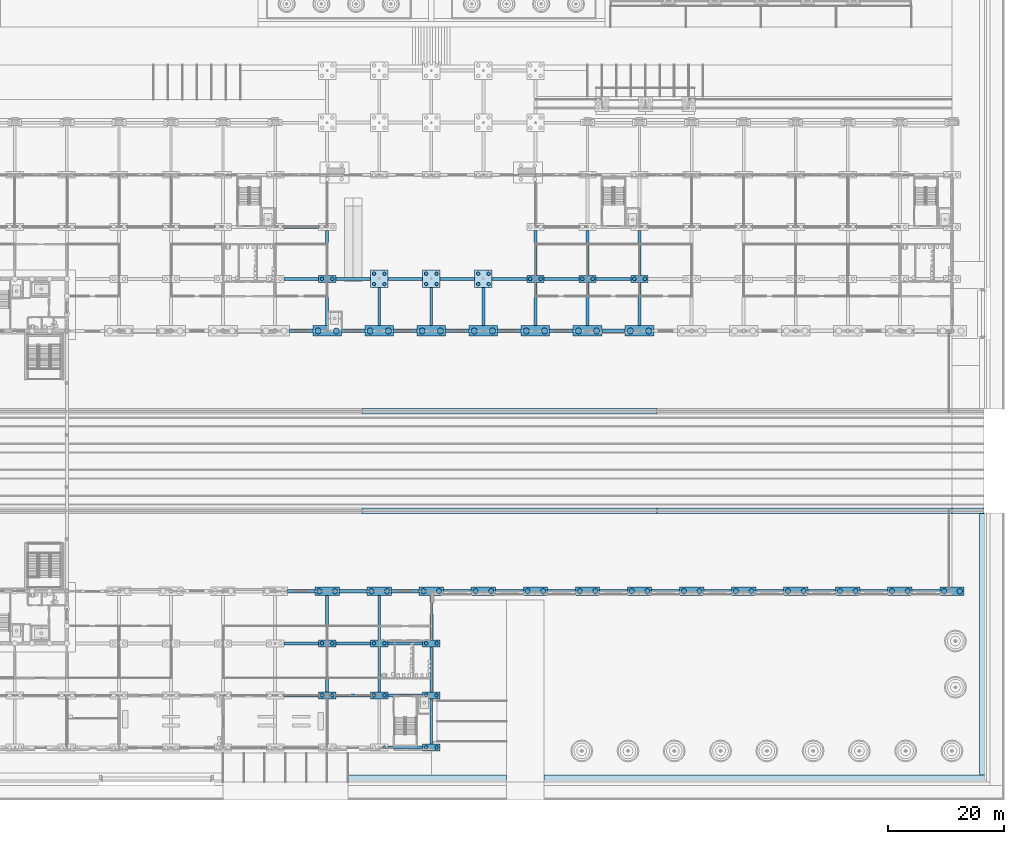
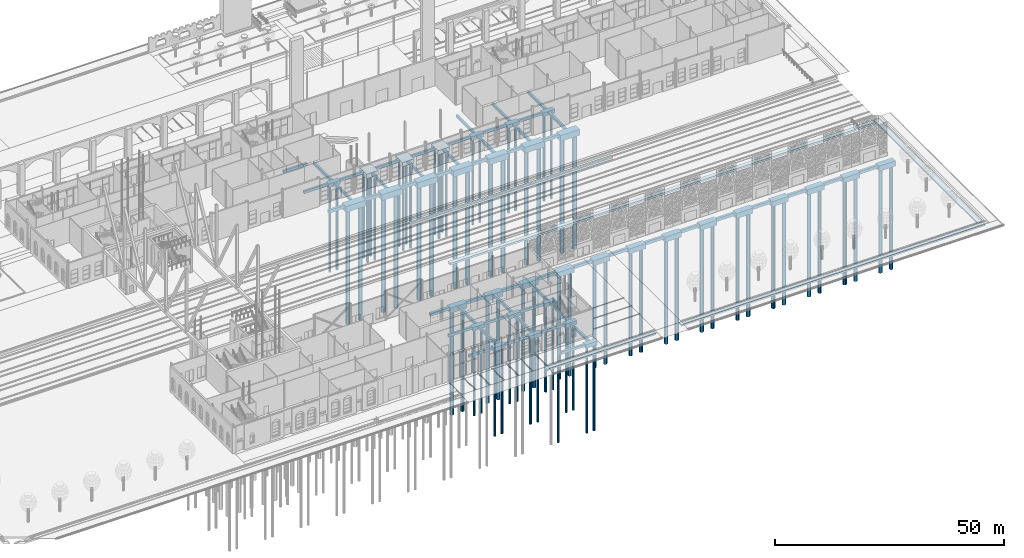
# One storey, part 4 of 250: 94 footings, 75 piles.
"""IFC4 building model written with IfcOpenShell, lengths in metres."""

from ifc_helpers import new_model, si_unit, direction, frame, origin, origin_2d, place, context, subcontext, project, spatial, rectangle, circle, extrude, material, type_object, element, save


model = new_model("IFC4")

# Units and contexts
model_context = context("Model", 3, precision=1e-05, world=origin(), true_north=direction((0.0, 1.0)))
body_context = subcontext(model_context, "Body", "Model", "MODEL_VIEW")
ifc_project = project(units=[si_unit("LENGTHUNIT", "METRE"), si_unit("AREAUNIT", "SQUARE_METRE"), si_unit("VOLUMEUNIT", "CUBIC_METRE"), si_unit("PLANEANGLEUNIT", "RADIAN"), si_unit("MASSUNIT", "GRAM", prefix="KILO")], contexts=[model_context])

# Site, building, storey
site_placement = place(None, origin())
site = spatial("IfcSite", under=ifc_project, at=site_placement, CompositionType="ELEMENT")
building_placement = place(site_placement, origin())
building = spatial("IfcBuilding", under=site, at=building_placement, Name="Baradari Gate Terminus", CompositionType="ELEMENT")
storey_placement = place(building_placement, origin())
storey = spatial("IfcBuildingStorey", under=building, at=storey_placement, Name="L00", CompositionType="ELEMENT", Elevation=0.0)

# Piles
ifc_material_1 = material(Name="Concrete C32/40", Category="concrete")
pile_type_1 = type_object("IfcPileType", Name="Bored pile BP1 D900", PredefinedType="BORED", material=ifc_material_1)
for number, where, z_axis, x_axis, name in (
    (1, (133.64990234375, 36.0, -3.39990234375), (0.0, 0.0, -1.0), (1.0, 0.0, 0.0), "Bored pile BP1 at 16-E (1)"),
    (2, (136.35009765625, 36.0, -3.39990234375), (0.0, 0.0, -1.0), (1.0, 0.0, 0.0), "Bored pile BP1 at 16-E (2)"),
    (3, (142.64990234375, 36.0, -3.39990234375), (0.0, 0.0, -1.0), (1.0, 0.0, 0.0), "Bored pile BP1 at 17-E (1)"),
    (4, (145.35009765625, 36.0, -3.39990234375), (0.0, 0.0, -1.0), (1.0, 0.0, 0.0), "Bored pile BP1 at 17-E (2)"),
    (5, (151.64990234375, 36.0, -3.39990234375), (0.0, 0.0, -1.0), (1.0, 0.0, 0.0), "Bored pile BP1 at 18-E (1)"),
    (6, (154.35009765625, 36.0, -3.39990234375), (0.0, 0.0, -1.0), (1.0, 0.0, 0.0), "Bored pile BP1 at 18-E (2)"),
    (7, (160.64990234375, 36.0, -3.39990234375), (0.0, 0.0, -1.0), (1.0, 0.0, 0.0), "Bored pile BP1 at 19-E (1)"),
    (8, (163.35009765625, 36.0, -3.39990234375), (0.0, 0.0, -1.0), (1.0, 0.0, 0.0), "Bored pile BP1 at 19-E (2)"),
    (9, (169.64990234375, 36.0, -3.39990234375), (0.0, 0.0, -1.0), (1.0, 0.0, 0.0), "Bored pile BP1 at 20-E (1)"),
    (10, (172.35009765625, 36.0, -3.39990234375), (0.0, 0.0, -1.0), (1.0, 0.0, 0.0), "Bored pile BP1 at 20-E (2)"),
    (11, (178.64990234375, 36.0, -3.39990234375), (0.0, 0.0, -1.0), (1.0, 0.0, 0.0), "Bored pile BP1 at 21-E (1)"),
    (12, (181.35009765625, 36.0, -3.39990234375), (0.0, 0.0, -1.0), (1.0, 0.0, 0.0), "Bored pile BP1 at 21-E (2)"),
    (13, (187.64990234375, 36.0, -3.39990234375), (0.0, 0.0, -1.0), (1.0, 0.0, 0.0), "Bored pile BP1 at 22-E (1)"),
    (14, (190.35009765625, 36.0, -3.39990234375), (0.0, 0.0, -1.0), (1.0, 0.0, 0.0), "Bored pile BP1 at 22-E (2)"),
    (15, (196.64990234375, 36.0, -3.39990234375), (0.0, 0.0, -1.0), (1.0, 0.0, 0.0), "Bored pile BP1 at 23-E (1)"),
    (16, (199.35009765625, 36.0, -3.39990234375), (0.0, 0.0, -1.0), (1.0, 0.0, 0.0), "Bored pile BP1 at 23-E (2)"),
    (17, (205.64990234375, 36.0, -3.39990234375), (0.0, 0.0, -1.0), (1.0, 0.0, 0.0), "Bored pile BP1 at 24-E (1)"),
    (18, (208.35009765625, 36.0, -3.39990234375), (0.0, 0.0, -1.0), (1.0, 0.0, 0.0), "Bored pile BP1 at 24-E (2)"),
    (19, (214.64990234375, 36.0, -3.39990234375), (0.0, 0.0, -1.0), (1.0, 0.0, 0.0), "Bored pile BP1 at 25-E (1)"),
    (20, (217.35009765625, 36.0, -3.39990234375), (0.0, 0.0, -1.0), (1.0, 0.0, 0.0), "Bored pile BP1 at 25-E (2)"),
    (21, (223.64990234375, 36.0, -3.39990234375), (0.0, 0.0, -1.0), (1.0, 0.0, 0.0), "Bored pile BP1 at 26-E (1)"),
    (22, (226.35009765625, 36.0, -3.39990234375), (0.0, 0.0, -1.0), (1.0, 0.0, 0.0), "Bored pile BP1 at 26-E (2)"),
    (23, (232.64990234375, 36.0, -3.39990234375), (0.0, 0.0, -1.0), (1.0, 0.0, 0.0), "Bored pile BP1 at 27-E (1)"),
    (24, (235.35009765625, 36.0, -3.39990234375), (0.0, 0.0, -1.0), (1.0, 0.0, 0.0), "Bored pile BP1 at 27-E (2)"),
    (25, (241.64990234375, 36.0, -3.39990234375), (0.0, 0.0, -1.0), (1.0, 0.0, 0.0), "Bored pile BP1 at 28-E (1)"),
    (26, (244.35009765625, 36.0, -3.39990234375), (0.0, 0.0, -1.0), (1.0, 0.0, 0.0), "Bored pile BP1 at 28-E (2)"),
):
    element("IfcPile", number, at=place(storey_placement, frame(where, z_axis=z_axis, x_axis=x_axis)), inside=storey, type_object=pile_type_1, Name=name, PredefinedType="BORED", context=body_context, shape_type="SweptSolid", body=[
        extrude(circle(Radius=0.449951171875, at=origin_2d()), origin(), (0.0, 0.0, 1.0), 27.60009765625),
    ])
ifc_material_2 = material(Name="Concrete C32/40", Category="concrete")
pile_type_2 = type_object("IfcPileType", Name="Bored pile BP2 D600", PredefinedType="BORED", material=ifc_material_2)
for number, where, z_axis, x_axis, name in (
    (27, (134.10009765625, 18.0, -3.0), (0.0, 0.0, -1.0), (1.0, 0.0, 0.0), "Bored pile BP2 at 16-C (1)"),
    (28, (135.89990234375, 18.0, -3.0), (0.0, 0.0, -1.0), (1.0, 0.0, 0.0), "Bored pile BP2 at 16-C (2)"),
    (29, (134.10009765625, 27.0, -3.0), (0.0, 0.0, -1.0), (1.0, 0.0, 0.0), "Bored pile BP2 at 16-D (1)"),
    (30, (135.89990234375, 27.0, -3.0), (0.0, 0.0, -1.0), (1.0, 0.0, 0.0), "Bored pile BP2 at 16-D (2)"),
    (31, (134.10009765625, 90.0, -3.0), (0.0, 0.0, -1.0), (1.0, 0.0, 0.0), "Bored pile BP2 at 16-L (1)"),
    (32, (135.89990234375, 90.0, -3.0), (0.0, 0.0, -1.0), (1.0, 0.0, 0.0), "Bored pile BP2 at 16-L (2)"),
    (33, (144.89990234375, 9.0, -3.0), (0.0, 0.0, -1.0), (1.0, 0.0, 0.0), "Bored pile BP2 at 17-B (2)"),
    (34, (143.10009765625, 18.0, -3.0), (0.0, 0.0, -1.0), (1.0, 0.0, 0.0), "Bored pile BP2 at 17-C (1)"),
    (35, (144.89990234375, 18.0, -3.0), (0.0, 0.0, -1.0), (1.0, 0.0, 0.0), "Bored pile BP2 at 17-C (2)"),
    (36, (143.10009765625, 27.0, -3.0), (0.0, 0.0, -1.0), (1.0, 0.0, 0.0), "Bored pile BP2 at 17-D (1)"),
    (37, (144.89990234375, 27.0, -3.0), (0.0, 0.0, -1.0), (1.0, 0.0, 0.0), "Bored pile BP2 at 17-D (2)"),
):
    element("IfcPile", number, at=place(storey_placement, frame(where, z_axis=z_axis, x_axis=x_axis)), inside=storey, type_object=pile_type_2, Name=name, PredefinedType="BORED", context=body_context, shape_type="SweptSolid", body=[
        extrude(circle(Radius=0.300048828125, at=origin_2d()), origin(), (0.0, 0.0, 1.0), 23.0),
    ])
for number, where, z_axis, x_axis, name in (
    (38, (143.10009765625, 89.10009765625, -3.199951171875), (0.0, 0.0, -1.0), (1.0, 0.0, 0.0), "Bored pile BP2 at 17-L (1)"),
    (39, (144.89990234375, 89.10009765625, -3.199951171875), (0.0, 0.0, -1.0), (1.0, 0.0, 0.0), "Bored pile BP2 at 17-L (2)"),
    (40, (143.10009765625, 90.89990234375, -3.199951171875), (0.0, 0.0, -1.0), (1.0, 0.0, 0.0), "Bored pile BP2 at 17-L (3)"),
    (41, (144.89990234375, 90.89990234375, -3.199951171875), (0.0, 0.0, -1.0), (1.0, 0.0, 0.0), "Bored pile BP2 at 17-L (4)"),
):
    element("IfcPile", number, at=place(storey_placement, frame(where, z_axis=z_axis, x_axis=x_axis)), inside=storey, type_object=pile_type_2, Name=name, PredefinedType="BORED", context=body_context, shape_type="SweptSolid", body=[
        extrude(circle(Radius=0.300048828125, at=origin_2d()), origin(), (0.0, 0.0, 1.0), 22.800048828125),
    ])
for number, where, z_axis, x_axis, name in (
    (42, (152.10009765625, 9.0, -3.0), (0.0, 0.0, -1.0), (1.0, 0.0, 0.0), "Bored pile BP2 at 18-B (1)"),
    (43, (153.89990234375, 9.0, -3.0), (0.0, 0.0, -1.0), (1.0, 0.0, 0.0), "Bored pile BP2 at 18-B (2)"),
    (44, (152.10009765625, 18.0, -3.0), (0.0, 0.0, -1.0), (1.0, 0.0, 0.0), "Bored pile BP2 at 18-C (1)"),
    (45, (153.89990234375, 18.0, -3.0), (0.0, 0.0, -1.0), (1.0, 0.0, 0.0), "Bored pile BP2 at 18-C (2)"),
    (46, (152.10009765625, 27.0, -3.0), (0.0, 0.0, -1.0), (1.0, 0.0, 0.0), "Bored pile BP2 at 18-D (1)"),
    (47, (153.89990234375, 27.0, -3.0), (0.0, 0.0, -1.0), (1.0, 0.0, 0.0), "Bored pile BP2 at 18-D (2)"),
):
    element("IfcPile", number, at=place(storey_placement, frame(where, z_axis=z_axis, x_axis=x_axis)), inside=storey, type_object=pile_type_2, Name=name, PredefinedType="BORED", context=body_context, shape_type="SweptSolid", body=[
        extrude(circle(Radius=0.300048828125, at=origin_2d()), origin(), (0.0, 0.0, 1.0), 23.0),
    ])
for number, where, z_axis, x_axis, name in (
    (48, (152.10009765625, 89.10009765625, -3.199951171875), (0.0, 0.0, -1.0), (1.0, 0.0, 0.0), "Bored pile BP2 at 18-L (1)"),
    (49, (153.89990234375, 89.10009765625, -3.199951171875), (0.0, 0.0, -1.0), (1.0, 0.0, 0.0), "Bored pile BP2 at 18-L (2)"),
    (50, (152.10009765625, 90.89990234375, -3.199951171875), (0.0, 0.0, -1.0), (1.0, 0.0, 0.0), "Bored pile BP2 at 18-L (3)"),
    (51, (153.89990234375, 90.89990234375, -3.199951171875), (0.0, 0.0, -1.0), (1.0, 0.0, 0.0), "Bored pile BP2 at 18-L (4)"),
    (52, (161.10009765625, 89.10009765625, -3.199951171875), (0.0, 0.0, -1.0), (1.0, 0.0, 0.0), "Bored pile BP2 at 19-L (1)"),
    (53, (162.89990234375, 89.10009765625, -3.199951171875), (0.0, 0.0, -1.0), (1.0, 0.0, 0.0), "Bored pile BP2 at 19-L (2)"),
    (54, (161.10009765625, 90.89990234375, -3.199951171875), (0.0, 0.0, -1.0), (1.0, 0.0, 0.0), "Bored pile BP2 at 19-L (3)"),
    (55, (162.89990234375, 90.89990234375, -3.199951171875), (0.0, 0.0, -1.0), (1.0, 0.0, 0.0), "Bored pile BP2 at 19-L (4)"),
):
    element("IfcPile", number, at=place(storey_placement, frame(where, z_axis=z_axis, x_axis=x_axis)), inside=storey, type_object=pile_type_2, Name=name, PredefinedType="BORED", context=body_context, shape_type="SweptSolid", body=[
        extrude(circle(Radius=0.300048828125, at=origin_2d()), origin(), (0.0, 0.0, 1.0), 22.800048828125),
    ])
for number, where, z_axis, x_axis, name in (
    (56, (170.10009765625, 90.0, -3.0), (0.0, 0.0, -1.0), (1.0, 0.0, 0.0), "Bored pile BP2 at 20-L (1)"),
    (57, (171.89990234375, 90.0, -3.0), (0.0, 0.0, -1.0), (1.0, 0.0, 0.0), "Bored pile BP2 at 20-L (2)"),
    (58, (179.10009765625, 90.0, -3.0), (0.0, 0.0, -1.0), (1.0, 0.0, 0.0), "Bored pile BP2 at 21-L (1)"),
    (59, (180.89990234375, 90.0, -3.0), (0.0, 0.0, -1.0), (1.0, 0.0, 0.0), "Bored pile BP2 at 21-L (2)"),
    (60, (188.10009765625, 90.0, -3.0), (0.0, 0.0, -1.0), (1.0, 0.0, 0.0), "Bored pile BP2 at 22-L (1)"),
    (61, (189.89990234375, 90.0, -3.0), (0.0, 0.0, -1.0), (1.0, 0.0, 0.0), "Bored pile BP2 at 22-L (2)"),
):
    element("IfcPile", number, at=place(storey_placement, frame(where, z_axis=z_axis, x_axis=x_axis)), inside=storey, type_object=pile_type_2, Name=name, PredefinedType="BORED", context=body_context, shape_type="SweptSolid", body=[
        extrude(circle(Radius=0.300048828125, at=origin_2d()), origin(), (0.0, 0.0, 1.0), 23.0),
    ])
ifc_material_3 = material(Name="Concrete C32/40", Category="concrete")
pile_type_3 = type_object("IfcPileType", Name="Bored pile BP5 D1050", PredefinedType="BORED", material=ifc_material_3)
for number, where, z_axis, x_axis, name in (
    (62, (133.425048828125, 81.0, -3.60009765625), (0.0, 0.0, -1.0), (1.0, 0.0, 0.0), "Bored pile BP5 at 16-K (1)"),
    (63, (136.574951171875, 81.0, -3.60009765625), (0.0, 0.0, -1.0), (1.0, 0.0, 0.0), "Bored pile BP5 at 16-K (2)"),
    (64, (142.425048828125, 81.0, -3.60009765625), (0.0, 0.0, -1.0), (1.0, 0.0, 0.0), "Bored pile BP5 at 17-K (1)"),
    (65, (145.574951171875, 81.0, -3.60009765625), (0.0, 0.0, -1.0), (1.0, 0.0, 0.0), "Bored pile BP5 at 17-K (2)"),
    (66, (151.425048828125, 81.0, -3.60009765625), (0.0, 0.0, -1.0), (1.0, 0.0, 0.0), "Bored pile BP5 at 18-K (1)"),
    (67, (154.574951171875, 81.0, -3.60009765625), (0.0, 0.0, -1.0), (1.0, 0.0, 0.0), "Bored pile BP5 at 18-K (2)"),
    (68, (160.425048828125, 81.0, -3.60009765625), (0.0, 0.0, -1.0), (1.0, 0.0, 0.0), "Bored pile BP5 at 19-K (1)"),
    (69, (163.574951171875, 81.0, -3.60009765625), (0.0, 0.0, -1.0), (1.0, 0.0, 0.0), "Bored pile BP5 at 19-K (2)"),
    (70, (169.425048828125, 81.0, -3.60009765625), (0.0, 0.0, -1.0), (1.0, 0.0, 0.0), "Bored pile BP5 at 20-K (1)"),
    (71, (172.574951171875, 81.0, -3.60009765625), (0.0, 0.0, -1.0), (1.0, 0.0, 0.0), "Bored pile BP5 at 20-K (2)"),
    (72, (178.425048828125, 81.0, -3.60009765625), (0.0, 0.0, -1.0), (1.0, 0.0, 0.0), "Bored pile BP5 at 21-K (1)"),
    (73, (181.574951171875, 81.0, -3.60009765625), (0.0, 0.0, -1.0), (1.0, 0.0, 0.0), "Bored pile BP5 at 21-K (2)"),
    (74, (187.425048828125, 81.0, -3.60009765625), (0.0, 0.0, -1.0), (1.0, 0.0, 0.0), "Bored pile BP5 at 22-K (1)"),
    (75, (190.574951171875, 81.0, -3.60009765625), (0.0, 0.0, -1.0), (1.0, 0.0, 0.0), "Bored pile BP5 at 22-K (2)"),
):
    element("IfcPile", number, at=place(storey_placement, frame(where, z_axis=z_axis, x_axis=x_axis)), inside=storey, type_object=pile_type_3, Name=name, PredefinedType="BORED", context=body_context, shape_type="SweptSolid", body=[
        extrude(circle(Radius=0.52490234375, at=origin_2d()), origin(), (0.0, 0.0, 1.0), 30.39990234375),
    ])

# Footings
ifc_material_4 = material(Name="Concrete C32/40", Category="concrete")
footing_type_1 = type_object("IfcFootingType", Name="Ground beam TG1 500x700", PredefinedType="FOOTING_BEAM", material=ifc_material_4)
for number, where, z_axis, x_axis, name in (
    (76, (148.5, 9.0, -2.7998046875), (0.0, 0.0, 1.0), (1.0, 0.0, 0.0), "Ground beam TG1 line B 145.5 to 151.5"),
    (77, (130.5, 18.0, -2.7998046875), (0.0, 0.0, 1.0), (1.0, 0.0, 0.0), "Ground beam TG1 line C 127.5 to 133.5"),
    (78, (139.5, 18.0, -2.7998046875), (0.0, 0.0, 1.0), (1.0, 0.0, 0.0), "Ground beam TG1 line C 136.5 to 142.5"),
    (79, (148.5, 18.0, -2.7998046875), (0.0, 0.0, 1.0), (1.0, 0.0, 0.0), "Ground beam TG1 line C 145.5 to 151.5"),
    (80, (130.5, 27.0, -2.7998046875), (0.0, 0.0, 1.0), (1.0, 0.0, 0.0), "Ground beam TG1 line D 127.5 to 133.5"),
    (81, (139.5, 27.0, -2.7998046875), (0.0, 0.0, 1.0), (1.0, 0.0, 0.0), "Ground beam TG1 line D 136.5 to 142.5"),
    (82, (148.5, 27.0, -2.7998046875), (0.0, 0.0, 1.0), (1.0, 0.0, 0.0), "Ground beam TG1 line D 145.5 to 151.5"),
    (83, (130.5, 90.0, -2.7998046875), (0.0, 0.0, 1.0), (1.0, 0.0, 0.0), "Ground beam TG1 line L 127.5 to 133.5"),
    (84, (139.5, 90.0, -2.7998046875), (0.0, 0.0, 1.0), (1.0, 0.0, 0.0), "Ground beam TG1 line L 136.5 to 142.5"),
    (85, (148.5, 90.0, -2.7998046875), (0.0, 0.0, 1.0), (1.0, 0.0, 0.0), "Ground beam TG1 line L 145.5 to 151.5"),
    (86, (157.5, 90.0, -2.7998046875), (0.0, 0.0, 1.0), (1.0, 0.0, 0.0), "Ground beam TG1 line L 154.5 to 160.5"),
    (87, (166.5, 90.0, -2.7998046875), (0.0, 0.0, 1.0), (1.0, 0.0, 0.0), "Ground beam TG1 line L 163.5 to 169.5"),
    (88, (175.5, 90.0, -2.7998046875), (0.0, 0.0, 1.0), (1.0, 0.0, 0.0), "Ground beam TG1 line L 172.5 to 178.5"),
    (89, (184.5, 90.0, -2.7998046875), (0.0, 0.0, 1.0), (1.0, 0.0, 0.0), "Ground beam TG1 line L 181.5 to 187.5"),
    (90, (130.5, 99.0, -2.7998046875), (0.0, 0.0, 1.0), (1.0, 0.0, 0.0), "Ground beam TG1 line M 127.5 to 133.5"),
):
    element("IfcFooting", number, at=place(storey_placement, frame(where, z_axis=z_axis, x_axis=x_axis)), inside=storey, type_object=footing_type_1, Name=name, PredefinedType="FOOTING_BEAM", context=body_context, shape_type="SweptSolid", body=[
        extrude(rectangle(XDim=6.0, YDim=0.5, at=origin_2d()), origin(), (0.0, 0.0, 1.0), 0.699951171875),
    ])
footing_1_placement = place(storey_placement, frame((135.0, 22.5, -2.7998046875), z_axis=(0.0, 0.0, 1.0), x_axis=(1.0, 0.0, 0.0)))
element("IfcFooting", 91, at=footing_1_placement, inside=storey, type_object=footing_type_1, Name="Ground beam TG1 line 16 18.6 to 26.4", PredefinedType="FOOTING_BEAM", context=body_context, shape_type="SweptSolid", body=[
    extrude(rectangle(XDim=0.5, YDim=7.800048828125, at=origin_2d()), origin(), (0.0, 0.0, 1.0), 0.699951171875),
])
footing_2_placement = place(storey_placement, frame((135.0, 31.425048828125, -2.7998046875), z_axis=(0.0, 0.0, 1.0), x_axis=(1.0, 0.0, 0.0)))
element("IfcFooting", 92, at=footing_2_placement, inside=storey, type_object=footing_type_1, Name="Ground beam TG1 line 16 27.6 to 35.25", PredefinedType="FOOTING_BEAM", context=body_context, shape_type="SweptSolid", body=[
    extrude(rectangle(XDim=0.5, YDim=7.64990234375, at=origin_2d()), origin(), (0.0, 0.0, 1.0), 0.699951171875),
])
footing_3_placement = place(storey_placement, frame((135.0, 85.64990234375, -2.7998046875), z_axis=(0.0, 0.0, 1.0), x_axis=(1.0, 0.0, 0.0)))
element("IfcFooting", 93, at=footing_3_placement, inside=storey, type_object=footing_type_1, Name="Ground beam TG1 line 16 81.9 to 89.4", PredefinedType="FOOTING_BEAM", context=body_context, shape_type="SweptSolid", body=[
    extrude(rectangle(XDim=0.5, YDim=7.5, at=origin_2d()), origin(), (0.0, 0.0, 1.0), 0.699951171875),
])
for number, where, z_axis, x_axis, name in (
    (94, (135.0, 94.5, -2.7998046875), (0.0, 0.0, 1.0), (1.0, 0.0, 0.0), "Ground beam TG1 line 16 90.6 to 98.4"),
    (95, (144.0, 22.5, -2.7998046875), (0.0, 0.0, 1.0), (1.0, 0.0, 0.0), "Ground beam TG1 line 17 18.6 to 26.4"),
):
    element("IfcFooting", number, at=place(storey_placement, frame(where, z_axis=z_axis, x_axis=x_axis)), inside=storey, type_object=footing_type_1, Name=name, PredefinedType="FOOTING_BEAM", context=body_context, shape_type="SweptSolid", body=[
        extrude(rectangle(XDim=0.5, YDim=7.800048828125, at=origin_2d()), origin(), (0.0, 0.0, 1.0), 0.699951171875),
    ])
footing_4_placement = place(storey_placement, frame((144.0, 31.425048828125, -2.7998046875), z_axis=(0.0, 0.0, 1.0), x_axis=(1.0, 0.0, 0.0)))
element("IfcFooting", 96, at=footing_4_placement, inside=storey, type_object=footing_type_1, Name="Ground beam TG1 line 17 27.6 to 35.25", PredefinedType="FOOTING_BEAM", context=body_context, shape_type="SweptSolid", body=[
    extrude(rectangle(XDim=0.5, YDim=7.64990234375, at=origin_2d()), origin(), (0.0, 0.0, 1.0), 0.699951171875),
])
footing_5_placement = place(storey_placement, frame((144.0, 85.199951171875, -2.7998046875), z_axis=(0.0, 0.0, 1.0), x_axis=(1.0, 0.0, 0.0)))
element("IfcFooting", 97, at=footing_5_placement, inside=storey, type_object=footing_type_1, Name="Ground beam TG1 line 17 81.9 to 88.5", PredefinedType="FOOTING_BEAM", context=body_context, shape_type="SweptSolid", body=[
    extrude(rectangle(XDim=0.5, YDim=6.60009765625, at=origin_2d()), origin(), (0.0, 0.0, 1.0), 0.699951171875),
])
for number, where, z_axis, x_axis, name in (
    (98, (153.0, 13.5, -2.7998046875), (0.0, 0.0, 1.0), (1.0, 0.0, 0.0), "Ground beam TG1 line 18 9.6 to 17.4"),
    (99, (153.0, 22.5, -2.7998046875), (0.0, 0.0, 1.0), (1.0, 0.0, 0.0), "Ground beam TG1 line 18 18.6 to 26.4"),
):
    element("IfcFooting", number, at=place(storey_placement, frame(where, z_axis=z_axis, x_axis=x_axis)), inside=storey, type_object=footing_type_1, Name=name, PredefinedType="FOOTING_BEAM", context=body_context, shape_type="SweptSolid", body=[
        extrude(rectangle(XDim=0.5, YDim=7.800048828125, at=origin_2d()), origin(), (0.0, 0.0, 1.0), 0.699951171875),
    ])
footing_6_placement = place(storey_placement, frame((153.0, 31.425048828125, -2.7998046875), z_axis=(0.0, 0.0, 1.0), x_axis=(1.0, 0.0, 0.0)))
element("IfcFooting", 100, at=footing_6_placement, inside=storey, type_object=footing_type_1, Name="Ground beam TG1 line 18 27.6 to 35.25", PredefinedType="FOOTING_BEAM", context=body_context, shape_type="SweptSolid", body=[
    extrude(rectangle(XDim=0.5, YDim=7.64990234375, at=origin_2d()), origin(), (0.0, 0.0, 1.0), 0.699951171875),
])
for number, where, z_axis, x_axis, name in (
    (101, (153.0, 85.199951171875, -2.7998046875), (0.0, 0.0, 1.0), (1.0, 0.0, 0.0), "Ground beam TG1 line 18 81.9 to 88.5"),
    (102, (162.0, 85.199951171875, -2.7998046875), (0.0, 0.0, 1.0), (1.0, 0.0, 0.0), "Ground beam TG1 line 19 81.9 to 88.5"),
):
    element("IfcFooting", number, at=place(storey_placement, frame(where, z_axis=z_axis, x_axis=x_axis)), inside=storey, type_object=footing_type_1, Name=name, PredefinedType="FOOTING_BEAM", context=body_context, shape_type="SweptSolid", body=[
        extrude(rectangle(XDim=0.5, YDim=6.60009765625, at=origin_2d()), origin(), (0.0, 0.0, 1.0), 0.699951171875),
    ])
footing_7_placement = place(storey_placement, frame((171.0, 85.64990234375, -2.7998046875), z_axis=(0.0, 0.0, 1.0), x_axis=(1.0, 0.0, 0.0)))
element("IfcFooting", 103, at=footing_7_placement, inside=storey, type_object=footing_type_1, Name="Ground beam TG1 line 20 81.9 to 89.4", PredefinedType="FOOTING_BEAM", context=body_context, shape_type="SweptSolid", body=[
    extrude(rectangle(XDim=0.5, YDim=7.5, at=origin_2d()), origin(), (0.0, 0.0, 1.0), 0.699951171875),
])
footing_8_placement = place(storey_placement, frame((171.0, 94.5, -2.7998046875), z_axis=(0.0, 0.0, 1.0), x_axis=(1.0, 0.0, 0.0)))
element("IfcFooting", 104, at=footing_8_placement, inside=storey, type_object=footing_type_1, Name="Ground beam TG1 line 20 90.6 to 98.4", PredefinedType="FOOTING_BEAM", context=body_context, shape_type="SweptSolid", body=[
    extrude(rectangle(XDim=0.5, YDim=7.800048828125, at=origin_2d()), origin(), (0.0, 0.0, 1.0), 0.699951171875),
])
footing_9_placement = place(storey_placement, frame((180.0, 85.64990234375, -2.7998046875), z_axis=(0.0, 0.0, 1.0), x_axis=(1.0, 0.0, 0.0)))
element("IfcFooting", 105, at=footing_9_placement, inside=storey, type_object=footing_type_1, Name="Ground beam TG1 line 21 81.9 to 89.4", PredefinedType="FOOTING_BEAM", context=body_context, shape_type="SweptSolid", body=[
    extrude(rectangle(XDim=0.5, YDim=7.5, at=origin_2d()), origin(), (0.0, 0.0, 1.0), 0.699951171875),
])
footing_10_placement = place(storey_placement, frame((180.0, 94.5, -2.7998046875), z_axis=(0.0, 0.0, 1.0), x_axis=(1.0, 0.0, 0.0)))
element("IfcFooting", 106, at=footing_10_placement, inside=storey, type_object=footing_type_1, Name="Ground beam TG1 line 21 90.6 to 98.4", PredefinedType="FOOTING_BEAM", context=body_context, shape_type="SweptSolid", body=[
    extrude(rectangle(XDim=0.5, YDim=7.800048828125, at=origin_2d()), origin(), (0.0, 0.0, 1.0), 0.699951171875),
])
footing_11_placement = place(storey_placement, frame((189.0, 85.64990234375, -2.7998046875), z_axis=(0.0, 0.0, 1.0), x_axis=(1.0, 0.0, 0.0)))
element("IfcFooting", 107, at=footing_11_placement, inside=storey, type_object=footing_type_1, Name="Ground beam TG1 line 22 81.9 to 89.4", PredefinedType="FOOTING_BEAM", context=body_context, shape_type="SweptSolid", body=[
    extrude(rectangle(XDim=0.5, YDim=7.5, at=origin_2d()), origin(), (0.0, 0.0, 1.0), 0.699951171875),
])
footing_12_placement = place(storey_placement, frame((189.0, 94.5, -2.7998046875), z_axis=(0.0, 0.0, 1.0), x_axis=(1.0, 0.0, 0.0)))
element("IfcFooting", 108, at=footing_12_placement, inside=storey, type_object=footing_type_1, Name="Ground beam TG1 line 22 90.6 to 98.4", PredefinedType="FOOTING_BEAM", context=body_context, shape_type="SweptSolid", body=[
    extrude(rectangle(XDim=0.5, YDim=7.800048828125, at=origin_2d()), origin(), (0.0, 0.0, 1.0), 0.699951171875),
])
ifc_material_5 = material(Name="Concrete C32/40", Category="concrete")
footing_type_2 = type_object("IfcFootingType", Name="Ground beam TG3 600x800", PredefinedType="FOOTING_BEAM", material=ifc_material_5)
for number, where, z_axis, x_axis, name in (
    (109, (130.5, 36.0, -2.89990234375), (0.0, 0.0, 1.0), (1.0, 0.0, 0.0), "Ground beam TG3 line E 128.1 to 132.9"),
    (110, (139.5, 36.0, -2.89990234375), (0.0, 0.0, 1.0), (1.0, 0.0, 0.0), "Ground beam TG3 line E 137.1 to 141.9"),
    (111, (148.5, 36.0, -2.89990234375), (0.0, 0.0, 1.0), (1.0, 0.0, 0.0), "Ground beam TG3 line E 146.1 to 150.9"),
    (112, (157.5, 36.0, -2.89990234375), (0.0, 0.0, 1.0), (1.0, 0.0, 0.0), "Ground beam TG3 line E 155.1 to 159.9"),
    (113, (166.5, 36.0, -2.89990234375), (0.0, 0.0, 1.0), (1.0, 0.0, 0.0), "Ground beam TG3 line E 164.1 to 168.9"),
    (114, (175.5, 36.0, -2.89990234375), (0.0, 0.0, 1.0), (1.0, 0.0, 0.0), "Ground beam TG3 line E 173.1 to 177.9"),
    (115, (184.5, 36.0, -2.89990234375), (0.0, 0.0, 1.0), (1.0, 0.0, 0.0), "Ground beam TG3 line E 182.1 to 186.9"),
    (116, (193.5, 36.0, -2.89990234375), (0.0, 0.0, 1.0), (1.0, 0.0, 0.0), "Ground beam TG3 line E 191.1 to 195.9"),
    (117, (202.5, 36.0, -2.89990234375), (0.0, 0.0, 1.0), (1.0, 0.0, 0.0), "Ground beam TG3 line E 200.1 to 204.9"),
    (118, (211.5, 36.0, -2.89990234375), (0.0, 0.0, 1.0), (1.0, 0.0, 0.0), "Ground beam TG3 line E 209.1 to 213.9"),
    (119, (220.5, 36.0, -2.89990234375), (0.0, 0.0, 1.0), (1.0, 0.0, 0.0), "Ground beam TG3 line E 218.1 to 222.9"),
    (120, (229.5, 36.0, -2.89990234375), (0.0, 0.0, 1.0), (1.0, 0.0, 0.0), "Ground beam TG3 line E 227.1 to 231.9"),
    (121, (238.5, 36.0, -2.89990234375), (0.0, 0.0, 1.0), (1.0, 0.0, 0.0), "Ground beam TG3 line E 236.1 to 240.9"),
):
    element("IfcFooting", number, at=place(storey_placement, frame(where, z_axis=z_axis, x_axis=x_axis)), inside=storey, type_object=footing_type_2, Name=name, PredefinedType="FOOTING_BEAM", context=body_context, shape_type="SweptSolid", body=[
        extrude(rectangle(XDim=4.800048828125, YDim=0.60009765625, at=origin_2d()), origin(), (0.0, 0.0, 1.0), 0.800048828125),
    ])
for number, where, z_axis, x_axis, name in (
    (122, (130.5, 81.0, -2.89990234375), (0.0, 0.0, 1.0), (1.0, 0.0, 0.0), "Ground beam TG3 line K 128.47 to 132.53"),
    (123, (139.5, 81.0, -2.89990234375), (0.0, 0.0, 1.0), (1.0, 0.0, 0.0), "Ground beam TG3 line K 137.47 to 141.53"),
    (124, (148.5, 81.0, -2.89990234375), (0.0, 0.0, 1.0), (1.0, 0.0, 0.0), "Ground beam TG3 line K 146.47 to 150.53"),
    (125, (157.5, 81.0, -2.89990234375), (0.0, 0.0, 1.0), (1.0, 0.0, 0.0), "Ground beam TG3 line K 155.47 to 159.53"),
    (126, (166.5, 81.0, -2.89990234375), (0.0, 0.0, 1.0), (1.0, 0.0, 0.0), "Ground beam TG3 line K 164.47 to 168.53"),
    (127, (175.5, 81.0, -2.89990234375), (0.0, 0.0, 1.0), (1.0, 0.0, 0.0), "Ground beam TG3 line K 173.47 to 177.53"),
    (128, (184.5, 81.0, -2.89990234375), (0.0, 0.0, 1.0), (1.0, 0.0, 0.0), "Ground beam TG3 line K 182.47 to 186.53"),
):
    element("IfcFooting", number, at=place(storey_placement, frame(where, z_axis=z_axis, x_axis=x_axis)), inside=storey, type_object=footing_type_2, Name=name, PredefinedType="FOOTING_BEAM", context=body_context, shape_type="SweptSolid", body=[
        extrude(rectangle(XDim=4.050048828125, YDim=0.60009765625, at=origin_2d()), origin(), (0.0, 0.0, 1.0), 0.800048828125),
    ])
ifc_material_6 = material(Name="Concrete C32/40", Category="concrete")
footing_type_3 = type_object("IfcFootingType", Name="Kerb strip footing SFK-1 1200x400", PredefinedType="STRIP_FOOTING", material=ifc_material_6)
footing_13_placement = place(storey_placement, frame((152.300048828125, 3.60009765625, -1.199951171875), z_axis=(0.0, 0.0, 1.0), x_axis=(1.0, 0.0, 0.0)))
element("IfcFooting", 129, at=footing_13_placement, inside=storey, type_object=footing_type_3, Name="Strip footing under plinth wall S3", PredefinedType="STRIP_FOOTING", context=body_context, shape_type="SweptSolid", body=[
    extrude(rectangle(XDim=27.39990234375, YDim=1.199951171875, at=origin_2d()), origin(), (0.0, 0.0, 1.0), 0.39990234375),
])
footing_14_placement = place(storey_placement, frame((210.75, 3.60009765625, -1.199951171875), z_axis=(0.0, 0.0, 1.0), x_axis=(1.0, 0.0, 0.0)))
element("IfcFooting", 130, at=footing_14_placement, inside=storey, type_object=footing_type_3, Name="Strip footing under plinth wall S4", PredefinedType="STRIP_FOOTING", context=body_context, shape_type="SweptSolid", body=[
    extrude(rectangle(XDim=76.5, YDim=1.199951171875, at=origin_2d()), origin(), (0.0, 0.0, 1.0), 0.39990234375),
])
footing_15_placement = place(storey_placement, frame((248.39990234375, 26.85009765625, -1.199951171875), z_axis=(0.0, 0.0, 1.0), x_axis=(1.0, 0.0, 0.0)))
element("IfcFooting", 131, at=footing_15_placement, inside=storey, type_object=footing_type_3, Name="Strip footing under plinth wall E1", PredefinedType="STRIP_FOOTING", context=body_context, shape_type="SweptSolid", body=[
    extrude(rectangle(XDim=1.199951171875, YDim=45.300048828125, at=origin_2d()), origin(), (0.0, 0.0, 1.0), 0.39990234375),
])
ifc_material_7 = material(Name="Concrete C32/40", Category="concrete")
footing_type_4 = type_object("IfcFootingType", Name="Pile cap PC3 4200x1500x1400", PredefinedType="PILE_CAP", material=ifc_material_7)
for number, where, z_axis, x_axis, name in (
    (132, (135.0, 36.0, -3.5), (0.0, 0.0, 1.0), (1.0, 0.0, 0.0), "Pile cap PC3 at 16-E"),
    (133, (144.0, 36.0, -3.5), (0.0, 0.0, 1.0), (1.0, 0.0, 0.0), "Pile cap PC3 at 17-E"),
    (134, (153.0, 36.0, -3.5), (0.0, 0.0, 1.0), (1.0, 0.0, 0.0), "Pile cap PC3 at 18-E"),
    (135, (162.0, 36.0, -3.5), (0.0, 0.0, 1.0), (1.0, 0.0, 0.0), "Pile cap PC3 at 19-E"),
    (136, (171.0, 36.0, -3.5), (0.0, 0.0, 1.0), (1.0, 0.0, 0.0), "Pile cap PC3 at 20-E"),
    (137, (180.0, 36.0, -3.5), (0.0, 0.0, 1.0), (1.0, 0.0, 0.0), "Pile cap PC3 at 21-E"),
    (138, (189.0, 36.0, -3.5), (0.0, 0.0, 1.0), (1.0, 0.0, 0.0), "Pile cap PC3 at 22-E"),
    (139, (198.0, 36.0, -3.5), (0.0, 0.0, 1.0), (1.0, 0.0, 0.0), "Pile cap PC3 at 23-E"),
    (140, (207.0, 36.0, -3.5), (0.0, 0.0, 1.0), (1.0, 0.0, 0.0), "Pile cap PC3 at 24-E"),
    (141, (216.0, 36.0, -3.5), (0.0, 0.0, 1.0), (1.0, 0.0, 0.0), "Pile cap PC3 at 25-E"),
    (142, (225.0, 36.0, -3.5), (0.0, 0.0, 1.0), (1.0, 0.0, 0.0), "Pile cap PC3 at 26-E"),
    (143, (234.0, 36.0, -3.5), (0.0, 0.0, 1.0), (1.0, 0.0, 0.0), "Pile cap PC3 at 27-E"),
    (144, (243.0, 36.0, -3.5), (0.0, 0.0, 1.0), (1.0, 0.0, 0.0), "Pile cap PC3 at 28-E"),
):
    element("IfcFooting", number, at=place(storey_placement, frame(where, z_axis=z_axis, x_axis=x_axis)), inside=storey, type_object=footing_type_4, Name=name, PredefinedType="PILE_CAP", context=body_context, shape_type="SweptSolid", body=[
        extrude(rectangle(XDim=4.199951171875, YDim=1.5, at=origin_2d()), origin(), (0.0, 0.0, 1.0), 1.39990234375),
    ])
ifc_material_8 = material(Name="Concrete C32/40", Category="concrete")
footing_type_5 = type_object("IfcFootingType", Name="Pile cap PC4 3000x1200x1000", PredefinedType="PILE_CAP", material=ifc_material_8)
for number, where, z_axis, x_axis, name in (
    (145, (135.0, 18.0, -3.10009765625), (0.0, 0.0, 1.0), (1.0, 0.0, 0.0), "Pile cap PC4 at 16-C"),
    (146, (135.0, 27.0, -3.10009765625), (0.0, 0.0, 1.0), (1.0, 0.0, 0.0), "Pile cap PC4 at 16-D"),
    (147, (135.0, 90.0, -3.10009765625), (0.0, 0.0, 1.0), (1.0, 0.0, 0.0), "Pile cap PC4 at 16-L"),
    (148, (144.0, 18.0, -3.10009765625), (0.0, 0.0, 1.0), (1.0, 0.0, 0.0), "Pile cap PC4 at 17-C"),
    (149, (144.0, 27.0, -3.10009765625), (0.0, 0.0, 1.0), (1.0, 0.0, 0.0), "Pile cap PC4 at 17-D"),
    (150, (153.0, 9.0, -3.10009765625), (0.0, 0.0, 1.0), (1.0, 0.0, 0.0), "Pile cap PC4 at 18-B"),
    (151, (153.0, 18.0, -3.10009765625), (0.0, 0.0, 1.0), (1.0, 0.0, 0.0), "Pile cap PC4 at 18-C"),
    (152, (153.0, 27.0, -3.10009765625), (0.0, 0.0, 1.0), (1.0, 0.0, 0.0), "Pile cap PC4 at 18-D"),
    (153, (171.0, 90.0, -3.10009765625), (0.0, 0.0, 1.0), (1.0, 0.0, 0.0), "Pile cap PC4 at 20-L"),
    (154, (180.0, 90.0, -3.10009765625), (0.0, 0.0, 1.0), (1.0, 0.0, 0.0), "Pile cap PC4 at 21-L"),
    (155, (189.0, 90.0, -3.10009765625), (0.0, 0.0, 1.0), (1.0, 0.0, 0.0), "Pile cap PC4 at 22-L"),
):
    element("IfcFooting", number, at=place(storey_placement, frame(where, z_axis=z_axis, x_axis=x_axis)), inside=storey, type_object=footing_type_5, Name=name, PredefinedType="PILE_CAP", context=body_context, shape_type="SweptSolid", body=[
        extrude(rectangle(XDim=3.0, YDim=1.199951171875, at=origin_2d()), origin(), (0.0, 0.0, 1.0), 1.0),
    ])
ifc_material_9 = material(Name="Concrete C32/40", Category="concrete")
footing_type_6 = type_object("IfcFootingType", Name="Pile cap PC5 3000x3000x1200", PredefinedType="PILE_CAP", material=ifc_material_9)
for number, where, z_axis, x_axis, name in (
    (156, (144.0, 90.0, -3.2998046875), (0.0, 0.0, 1.0), (1.0, 0.0, 0.0), "Pile cap PC5 at 17-L"),
    (157, (153.0, 90.0, -3.2998046875), (0.0, 0.0, 1.0), (1.0, 0.0, 0.0), "Pile cap PC5 at 18-L"),
    (158, (162.0, 90.0, -3.2998046875), (0.0, 0.0, 1.0), (1.0, 0.0, 0.0), "Pile cap PC5 at 19-L"),
):
    element("IfcFooting", number, at=place(storey_placement, frame(where, z_axis=z_axis, x_axis=x_axis)), inside=storey, type_object=footing_type_6, Name=name, PredefinedType="PILE_CAP", context=body_context, shape_type="SweptSolid", body=[
        extrude(rectangle(XDim=3.0, YDim=3.0, at=origin_2d()), origin(), (0.0, 0.0, 1.0), 1.199951171875),
    ])
ifc_material_10 = material(Name="Concrete C32/40", Category="concrete")
footing_type_7 = type_object("IfcFootingType", Name="Pile cap PC7 4950x1800x1600", PredefinedType="PILE_CAP", material=ifc_material_10)
for number, where, z_axis, x_axis, name in (
    (159, (135.0, 81.0, -3.699951171875), (0.0, 0.0, 1.0), (1.0, 0.0, 0.0), "Pile cap PC7 at 16-K"),
    (160, (144.0, 81.0, -3.699951171875), (0.0, 0.0, 1.0), (1.0, 0.0, 0.0), "Pile cap PC7 at 17-K"),
    (161, (153.0, 81.0, -3.699951171875), (0.0, 0.0, 1.0), (1.0, 0.0, 0.0), "Pile cap PC7 at 18-K"),
    (162, (162.0, 81.0, -3.699951171875), (0.0, 0.0, 1.0), (1.0, 0.0, 0.0), "Pile cap PC7 at 19-K"),
    (163, (171.0, 81.0, -3.699951171875), (0.0, 0.0, 1.0), (1.0, 0.0, 0.0), "Pile cap PC7 at 20-K"),
    (164, (180.0, 81.0, -3.699951171875), (0.0, 0.0, 1.0), (1.0, 0.0, 0.0), "Pile cap PC7 at 21-K"),
    (165, (189.0, 81.0, -3.699951171875), (0.0, 0.0, 1.0), (1.0, 0.0, 0.0), "Pile cap PC7 at 22-K"),
):
    element("IfcFooting", number, at=place(storey_placement, frame(where, z_axis=z_axis, x_axis=x_axis)), inside=storey, type_object=footing_type_7, Name=name, PredefinedType="PILE_CAP", context=body_context, shape_type="SweptSolid", body=[
        extrude(rectangle(XDim=4.949951171875, YDim=1.800048828125, at=origin_2d()), origin(), (0.0, 0.0, 1.0), 1.60009765625),
    ])
ifc_material_11 = material(Name="Concrete C32/40", Category="concrete")
footing_type_8 = type_object("IfcFootingType", Name="Strip footing SF1 1000x500", PredefinedType="STRIP_FOOTING", material=ifc_material_11)
for number, where, z_axis, x_axis, name in (
    (166, (166.5, 49.89990234375, -2.072021484375), (0.0, 0.0, 1.0), (1.0, 0.0, 0.0), "Strip footing under platform 1 edge wall 3"),
    (167, (217.5, 49.89990234375, -2.072021484375), (0.0, 0.0, 1.0), (1.0, 0.0, 0.0), "Strip footing under platform 1 edge wall 4"),
    (168, (166.5, 67.10009765625, -2.072021484375), (0.0, 0.0, 1.0), (1.0, 0.0, 0.0), "Strip footing under platform 2 edge wall 3"),
):
    element("IfcFooting", number, at=place(storey_placement, frame(where, z_axis=z_axis, x_axis=x_axis)), inside=storey, type_object=footing_type_8, Name=name, PredefinedType="STRIP_FOOTING", context=body_context, shape_type="SweptSolid", body=[
        extrude(rectangle(XDim=51.0, YDim=1.0, at=origin_2d()), origin(), (0.0, 0.0, 1.0), 0.5),
    ])
footing_16_placement = place(storey_placement, frame((245.75, 49.89990234375, -1.971923828125), z_axis=(0.0, 0.0, 1.0), x_axis=(1.0, 0.0, 0.0)))
element("IfcFooting", 169, at=footing_16_placement, inside=storey, type_object=footing_type_8, Name="Strip footing under track wing wall ES", PredefinedType="STRIP_FOOTING", context=body_context, shape_type="SweptSolid", body=[
    extrude(rectangle(XDim=5.5, YDim=1.0, at=origin_2d()), origin(), (0.0, 0.0, 1.0), 0.5),
])

save(model, "model.ifc")
